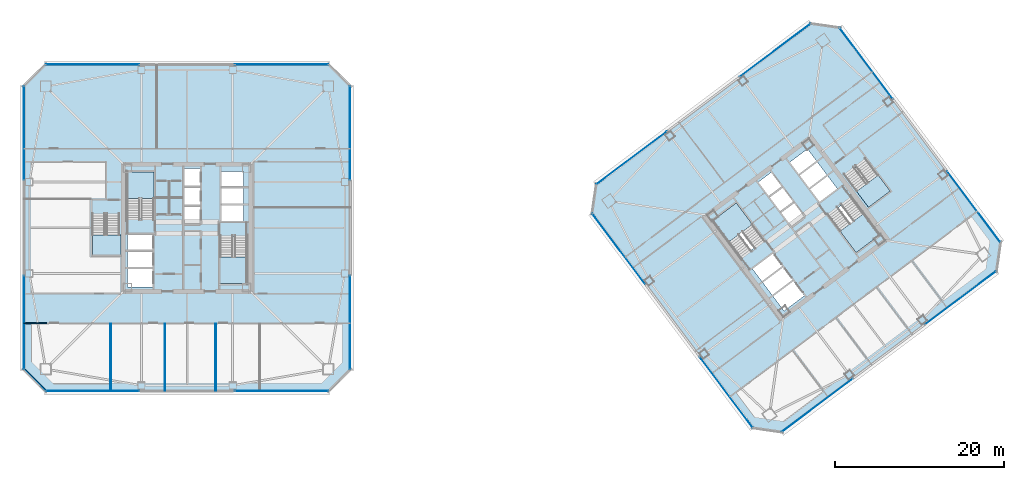
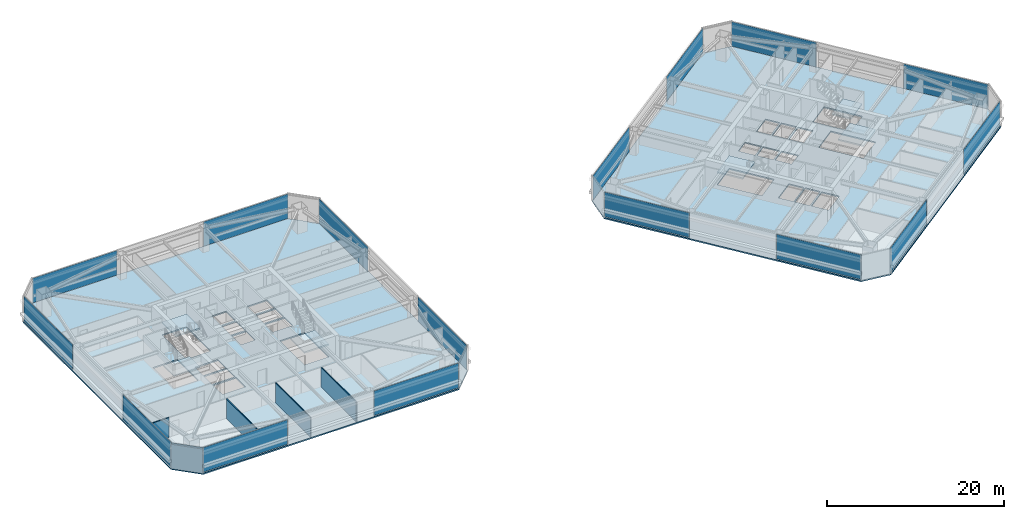
# One storey, part 30 of 41: 16 plates, 8 slabs, 5 walls, 22 elements without a shape of their own.
"""IFC4 building model written with IfcOpenShell, lengths in metres."""

from ifc_helpers import new_model, si_unit, direction, frame, frame_2d, origin, origin_2d, place, context, subcontext, project, spatial, polyline, rectangle, outline, extrude, material, layer, layer_set, type_object, element, aggregate, save


model = new_model("IFC4")

# Units and contexts
model_context = context("Model", 3, precision=1e-05, world=origin(), true_north=direction((0.0, 1.0)))
body_context = subcontext(model_context, "Body", "Model", "MODEL_VIEW")
ifc_project = project(units=[si_unit("LENGTHUNIT", "METRE"), si_unit("AREAUNIT", "SQUARE_METRE"), si_unit("VOLUMEUNIT", "CUBIC_METRE"), si_unit("PLANEANGLEUNIT", "RADIAN"), si_unit("MASSUNIT", "GRAM", prefix="KILO")], contexts=[model_context])

# Site, building, storey
site_placement = place(None, origin())
site = spatial("IfcSite", under=ifc_project, at=site_placement, CompositionType="ELEMENT")
building_placement = place(site_placement, origin())
building = spatial("IfcBuilding", under=site, at=building_placement, Name="Tashvorn Skyway Center", CompositionType="ELEMENT")
storey_placement = place(building_placement, frame((0.0, 0.0, 117.949951171875)))
storey = spatial("IfcBuildingStorey", under=building, at=storey_placement, Name="L31", CompositionType="ELEMENT", Elevation=117.949951171875)

# Curtain wall, plate
ifc_material_1 = material(Name="Thermally broken bronze-anodized aluminium 6063-T6", Category="aluminium")
curtain_wall_type = type_object("IfcCurtainWallType", Name="CW-CW-Z3", PredefinedType="NOTDEFINED", material=ifc_material_1)
curtain_wall_1_placement = place(storey_placement, origin())
curtain_wall_1 = element("IfcCurtainWall", 1, at=curtain_wall_1_placement, inside=storey, type_object=curtain_wall_type, Name="Tower 1 L31 South Unitised Curtain Wall Glazing Group 1", PredefinedType="NOTDEFINED")
ifc_material_2 = material(Name="Low-E solar-control double insulating safety glass", Category="glass")
ifc_layer_1 = layer(ifc_material_2, 0.0400390625)
ifc_layer_set_1 = layer_set([ifc_layer_1], Name="Low-E solar-control double insulating safety glass")
plate_type = type_object("IfcPlateType", Name="CWP-CW-Z3", PredefinedType="CURTAIN_PANEL", material=ifc_layer_set_1)
plate_1_placement = place(storey_placement, frame((53.186767578125, 12.719970703125, 0.0751953125), z_axis=(0.0, 0.0, 1.0), x_axis=(-1.0, 0.0, 0.0)))
plate_1 = element("IfcPlate", 2, at=plate_1_placement, type_object=plate_type, Name="CW-Z3 panel 1.1", PredefinedType="CURTAIN_PANEL", context=body_context, shape_type="SweptSolid", body=[
    extrude(rectangle(XDim=11.03662109375, YDim=0.0400390625, at=origin_2d()), origin(), (0.0, 0.0, 1.0), 3.39990234375),
])
aggregate(curtain_wall_1, [plate_1])

curtain_wall_2_placement = place(storey_placement, origin())
curtain_wall_2 = element("IfcCurtainWall", 3, at=curtain_wall_2_placement, inside=storey, type_object=curtain_wall_type, Name="Tower 1 L31 South Unitised Curtain Wall Glazing Group 2", PredefinedType="NOTDEFINED")
plate_2_placement = place(storey_placement, frame((30.813232421875, 12.719970703125, 0.0751953125), z_axis=(0.0, 0.0, 1.0), x_axis=(-1.0, 0.0, 0.0)))
plate_2 = element("IfcPlate", 4, at=plate_2_placement, type_object=plate_type, Name="CW-Z3 panel 1.1", PredefinedType="CURTAIN_PANEL", context=body_context, shape_type="SweptSolid", body=[
    extrude(rectangle(XDim=11.03662109375, YDim=0.0400390625, at=origin_2d()), origin(), (0.0, 0.0, 1.0), 3.39990234375),
])
aggregate(curtain_wall_2, [plate_2])

curtain_wall_3_placement = place(storey_placement, origin())
curtain_wall_3 = element("IfcCurtainWall", 5, at=curtain_wall_3_placement, inside=storey, type_object=curtain_wall_type, Name="Tower 1 L31 West Unitised Curtain Wall Glazing Group 1", PredefinedType="NOTDEFINED")
plate_3_placement = place(storey_placement, frame((22.719970703125, 20.813232421875, 0.0751953125), z_axis=(0.0, 0.0, 1.0), x_axis=(0.0, 1.0, 0.0)))
plate_3 = element("IfcPlate", 6, at=plate_3_placement, type_object=plate_type, Name="CW-Z3 panel 1.1", PredefinedType="CURTAIN_PANEL", context=body_context, shape_type="SweptSolid", body=[
    extrude(rectangle(XDim=11.03662109375, YDim=0.0400390625, at=origin_2d()), origin(), (0.0, 0.0, 1.0), 3.39990234375),
])
aggregate(curtain_wall_3, [plate_3])

curtain_wall_4_placement = place(storey_placement, origin())
curtain_wall_4 = element("IfcCurtainWall", 7, at=curtain_wall_4_placement, inside=storey, type_object=curtain_wall_type, Name="Tower 1 L31 West Unitised Curtain Wall Glazing Group 2", PredefinedType="NOTDEFINED")
plate_4_placement = place(storey_placement, frame((22.719970703125, 43.186767578125, 0.0751953125), z_axis=(0.0, 0.0, 1.0), x_axis=(0.0, 1.0, 0.0)))
plate_4 = element("IfcPlate", 8, at=plate_4_placement, type_object=plate_type, Name="CW-Z3 panel 1.1", PredefinedType="CURTAIN_PANEL", context=body_context, shape_type="SweptSolid", body=[
    extrude(rectangle(XDim=11.03662109375, YDim=0.0400390625, at=origin_2d()), origin(), (0.0, 0.0, 1.0), 3.39990234375),
])
aggregate(curtain_wall_4, [plate_4])

curtain_wall_5_placement = place(storey_placement, origin())
curtain_wall_5 = element("IfcCurtainWall", 9, at=curtain_wall_5_placement, inside=storey, type_object=curtain_wall_type, Name="Tower 1 L31 North Unitised Curtain Wall Glazing Group 1", PredefinedType="NOTDEFINED")
plate_5_placement = place(storey_placement, frame((30.813232421875, 51.280029296875, 0.0751953125), z_axis=(0.0, 0.0, 1.0), x_axis=(1.0, 0.0, 0.0)))
plate_5 = element("IfcPlate", 10, at=plate_5_placement, type_object=plate_type, Name="CW-Z3 panel 1.1", PredefinedType="CURTAIN_PANEL", context=body_context, shape_type="SweptSolid", body=[
    extrude(rectangle(XDim=11.03662109375, YDim=0.0400390625, at=origin_2d()), origin(), (0.0, 0.0, 1.0), 3.39990234375),
])
aggregate(curtain_wall_5, [plate_5])

curtain_wall_6_placement = place(storey_placement, origin())
curtain_wall_6 = element("IfcCurtainWall", 11, at=curtain_wall_6_placement, inside=storey, type_object=curtain_wall_type, Name="Tower 1 L31 North Unitised Curtain Wall Glazing Group 2", PredefinedType="NOTDEFINED")
plate_6_placement = place(storey_placement, frame((53.186767578125, 51.280029296875, 0.0751953125), z_axis=(0.0, 0.0, 1.0), x_axis=(1.0, 0.0, 0.0)))
plate_6 = element("IfcPlate", 12, at=plate_6_placement, type_object=plate_type, Name="CW-Z3 panel 1.1", PredefinedType="CURTAIN_PANEL", context=body_context, shape_type="SweptSolid", body=[
    extrude(rectangle(XDim=11.03662109375, YDim=0.0400390625, at=origin_2d()), origin(), (0.0, 0.0, 1.0), 3.39990234375),
])
aggregate(curtain_wall_6, [plate_6])

curtain_wall_7_placement = place(storey_placement, origin())
curtain_wall_7 = element("IfcCurtainWall", 13, at=curtain_wall_7_placement, inside=storey, type_object=curtain_wall_type, Name="Tower 1 L31 East Unitised Curtain Wall Glazing Group 1", PredefinedType="NOTDEFINED")
plate_7_placement = place(storey_placement, frame((61.280029296875, 43.186767578125, 0.0751953125), z_axis=(0.0, 0.0, 1.0), x_axis=(0.0, -1.0, 0.0)))
plate_7 = element("IfcPlate", 14, at=plate_7_placement, type_object=plate_type, Name="CW-Z3 panel 1.1", PredefinedType="CURTAIN_PANEL", context=body_context, shape_type="SweptSolid", body=[
    extrude(rectangle(XDim=11.03662109375, YDim=0.0400390625, at=origin_2d()), origin(), (0.0, 0.0, 1.0), 3.39990234375),
])
aggregate(curtain_wall_7, [plate_7])

curtain_wall_8_placement = place(storey_placement, origin())
curtain_wall_8 = element("IfcCurtainWall", 15, at=curtain_wall_8_placement, inside=storey, type_object=curtain_wall_type, Name="Tower 1 L31 East Unitised Curtain Wall Glazing Group 2", PredefinedType="NOTDEFINED")
plate_8_placement = place(storey_placement, frame((61.280029296875, 20.813232421875, 0.0751953125), z_axis=(0.0, 0.0, 1.0), x_axis=(0.0, -1.0, 0.0)))
plate_8 = element("IfcPlate", 16, at=plate_8_placement, type_object=plate_type, Name="CW-Z3 panel 1.1", PredefinedType="CURTAIN_PANEL", context=body_context, shape_type="SweptSolid", body=[
    extrude(rectangle(XDim=11.03662109375, YDim=0.0400390625, at=origin_2d()), origin(), (0.0, 0.0, 1.0), 3.39990234375),
])
aggregate(curtain_wall_8, [plate_8])

curtain_wall_9_placement = place(storey_placement, origin())
curtain_wall_9 = element("IfcCurtainWall", 17, at=curtain_wall_9_placement, inside=storey, type_object=curtain_wall_type, Name="Tower 2 L31 South Unitised Curtain Wall Glazing Group 1", PredefinedType="NOTDEFINED")
plate_9_placement = place(storey_placement, frame((133.437255859375, 23.72802734375, 0.0751953125), z_axis=(0.0, 0.0, 1.0), x_axis=(-0.799998866489, -0.600001511345, 0.0)))
plate_9 = element("IfcPlate", 18, at=plate_9_placement, type_object=plate_type, Name="CW-Z3 panel 1.1", PredefinedType="CURTAIN_PANEL", context=body_context, shape_type="SweptSolid", body=[
    extrude(rectangle(XDim=10.4365234375, YDim=0.0400390625, at=origin_2d()), origin(), (0.0, 0.0, 1.0), 3.39990234375),
])
aggregate(curtain_wall_9, [plate_9])

curtain_wall_10_placement = place(storey_placement, origin())
curtain_wall_10 = element("IfcCurtainWall", 19, at=curtain_wall_10_placement, inside=storey, type_object=curtain_wall_type, Name="Tower 2 L31 South Unitised Curtain Wall Glazing Group 2", PredefinedType="NOTDEFINED")
plate_10_placement = place(storey_placement, frame((116.49853515625, 11.02392578125, 0.0751953125), z_axis=(0.0, 0.0, 1.0), x_axis=(-0.799998866489, -0.600001511345, 0.0)))
plate_10 = element("IfcPlate", 20, at=plate_10_placement, type_object=plate_type, Name="CW-Z3 panel 1.1", PredefinedType="CURTAIN_PANEL", context=body_context, shape_type="SweptSolid", body=[
    extrude(rectangle(XDim=10.4365234375, YDim=0.0400390625, at=origin_2d()), origin(), (0.0, 0.0, 1.0), 3.39990234375),
])
aggregate(curtain_wall_10, [plate_10])

curtain_wall_11_placement = place(storey_placement, origin())
curtain_wall_11 = element("IfcCurtainWall", 21, at=curtain_wall_11_placement, inside=storey, type_object=curtain_wall_type, Name="Tower 2 L31 West Unitised Curtain Wall Glazing Group 1", PredefinedType="NOTDEFINED")
plate_11_placement = place(storey_placement, frame((105.72802734375, 12.562744140625, 0.0751953125), z_axis=(0.0, 0.0, 1.0), x_axis=(-0.600001511345, 0.799998866489, 0.0)))
plate_11 = element("IfcPlate", 22, at=plate_11_placement, type_object=plate_type, Name="CW-Z3 panel 1.1", PredefinedType="CURTAIN_PANEL", context=body_context, shape_type="SweptSolid", body=[
    extrude(rectangle(XDim=10.4365234375, YDim=0.0400390625, at=origin_2d()), origin(), (0.0, 0.0, 1.0), 3.39990234375),
])
aggregate(curtain_wall_11, [plate_11])

curtain_wall_12_placement = place(storey_placement, origin())
curtain_wall_12 = element("IfcCurtainWall", 23, at=curtain_wall_12_placement, inside=storey, type_object=curtain_wall_type, Name="Tower 2 L31 West Unitised Curtain Wall Glazing Group 2", PredefinedType="NOTDEFINED")
plate_12_placement = place(storey_placement, frame((93.02392578125, 29.50146484375, 0.0751953125), z_axis=(0.0, 0.0, 1.0), x_axis=(-0.600001511345, 0.799998866489, 0.0)))
plate_12 = element("IfcPlate", 24, at=plate_12_placement, type_object=plate_type, Name="CW-Z3 panel 1.1", PredefinedType="CURTAIN_PANEL", context=body_context, shape_type="SweptSolid", body=[
    extrude(rectangle(XDim=10.4365234375, YDim=0.0400390625, at=origin_2d()), origin(), (0.0, 0.0, 1.0), 3.39990234375),
])
aggregate(curtain_wall_12, [plate_12])

curtain_wall_13_placement = place(storey_placement, origin())
curtain_wall_13 = element("IfcCurtainWall", 25, at=curtain_wall_13_placement, inside=storey, type_object=curtain_wall_type, Name="Tower 2 L31 North Unitised Curtain Wall Glazing Group 1", PredefinedType="NOTDEFINED")
plate_13_placement = place(storey_placement, frame((94.562744140625, 40.27197265625, 0.0751953125), z_axis=(0.0, 0.0, 1.0), x_axis=(0.799998866489, 0.600001511345, 0.0)))
plate_13 = element("IfcPlate", 26, at=plate_13_placement, type_object=plate_type, Name="CW-Z3 panel 1.1", PredefinedType="CURTAIN_PANEL", context=body_context, shape_type="SweptSolid", body=[
    extrude(rectangle(XDim=10.4365234375, YDim=0.0400390625, at=origin_2d()), origin(), (0.0, 0.0, 1.0), 3.39990234375),
])
aggregate(curtain_wall_13, [plate_13])

curtain_wall_14_placement = place(storey_placement, origin())
curtain_wall_14 = element("IfcCurtainWall", 27, at=curtain_wall_14_placement, inside=storey, type_object=curtain_wall_type, Name="Tower 2 L31 North Unitised Curtain Wall Glazing Group 2", PredefinedType="NOTDEFINED")
plate_14_placement = place(storey_placement, frame((111.50146484375, 52.97607421875, 0.0751953125), z_axis=(0.0, 0.0, 1.0), x_axis=(0.799998866489, 0.600001511345, 0.0)))
plate_14 = element("IfcPlate", 28, at=plate_14_placement, type_object=plate_type, Name="CW-Z3 panel 1.1", PredefinedType="CURTAIN_PANEL", context=body_context, shape_type="SweptSolid", body=[
    extrude(rectangle(XDim=10.4365234375, YDim=0.0400390625, at=origin_2d()), origin(), (0.0, 0.0, 1.0), 3.39990234375),
])
aggregate(curtain_wall_14, [plate_14])

curtain_wall_15_placement = place(storey_placement, origin())
curtain_wall_15 = element("IfcCurtainWall", 29, at=curtain_wall_15_placement, inside=storey, type_object=curtain_wall_type, Name="Tower 2 L31 East Unitised Curtain Wall Glazing Group 1", PredefinedType="NOTDEFINED")
plate_15_placement = place(storey_placement, frame((122.27197265625, 51.437255859375, 0.0751953125), z_axis=(0.0, 0.0, 1.0), x_axis=(0.600001511345, -0.799998866489, 0.0)))
plate_15 = element("IfcPlate", 30, at=plate_15_placement, type_object=plate_type, Name="CW-Z3 panel 1.1", PredefinedType="CURTAIN_PANEL", context=body_context, shape_type="SweptSolid", body=[
    extrude(rectangle(XDim=10.4365234375, YDim=0.0400390625, at=origin_2d()), origin(), (0.0, 0.0, 1.0), 3.39990234375),
])
aggregate(curtain_wall_15, [plate_15])

curtain_wall_16_placement = place(storey_placement, origin())
curtain_wall_16 = element("IfcCurtainWall", 31, at=curtain_wall_16_placement, inside=storey, type_object=curtain_wall_type, Name="Tower 2 L31 East Unitised Curtain Wall Glazing Group 2", PredefinedType="NOTDEFINED")
plate_16_placement = place(storey_placement, frame((134.97607421875, 34.49853515625, 0.0751953125), z_axis=(0.0, 0.0, 1.0), x_axis=(0.600001511345, -0.799998866489, 0.0)))
plate_16 = element("IfcPlate", 32, at=plate_16_placement, type_object=plate_type, Name="CW-Z3 panel 1.1", PredefinedType="CURTAIN_PANEL", context=body_context, shape_type="SweptSolid", body=[
    extrude(rectangle(XDim=10.4365234375, YDim=0.0400390625, at=origin_2d()), origin(), (0.0, 0.0, 1.0), 3.39990234375),
])
aggregate(curtain_wall_16, [plate_16])

# Slabs
ifc_material_3 = material(Name="Concrete C40/50", Category="concrete")
ifc_layer_2 = layer(ifc_material_3, 0.179931640625)
ifc_layer_set_2 = layer_set([ifc_layer_2], Name="Concrete C40/50")
slab_type_1 = type_object("IfcSlabType", Name="SLAB-FLR-180", PredefinedType="FLOOR", material=ifc_layer_set_2)
slab_1_placement = place(storey_placement, frame((0.0, 0.0, -0.179931640625)))
element("IfcSlab", 33, at=slab_1_placement, inside=storey, type_object=slab_type_1, Name="Tower 1 L31 Composite Floor Slab", PredefinedType="FLOOR", context=body_context, shape_type="SweptSolid", body=[
    extrude(outline(polyline([(25.300048828125, 12.60009765625), (58.699951171875, 12.60009765625), (61.39990234375, 15.300048828125), (61.39990234375, 48.699951171875), (58.699951171875, 51.39990234375), (25.300048828125, 51.39990234375), (22.60009765625, 48.699951171875), (22.60009765625, 15.300048828125), (25.300048828125, 12.60009765625)]), holes=[polyline([(38.10009765625, 33.080078125), (38.10009765625, 38.60009765625), (34.89990234375, 38.60009765625), (34.89990234375, 33.080078125), (38.10009765625, 33.080078125)]), polyline([(45.89990234375, 30.919921875), (45.89990234375, 25.39990234375), (49.10009765625, 25.39990234375), (49.10009765625, 30.919921875), (45.89990234375, 30.919921875)]), polyline([(30.800048828125, 33.52001953125), (30.800048828125, 28.800048828125), (34.0, 28.800048828125), (34.0, 33.52001953125), (30.800048828125, 33.52001953125)]), polyline([(34.949951171875, 29.35009765625), (37.949951171875, 29.35009765625), (37.949951171875, 31.199951171875), (34.949951171875, 31.199951171875), (34.949951171875, 29.35009765625)]), polyline([(34.949951171875, 27.35009765625), (37.949951171875, 27.35009765625), (37.949951171875, 29.199951171875), (34.949951171875, 29.199951171875), (34.949951171875, 27.35009765625)]), polyline([(34.949951171875, 25.0), (37.949951171875, 25.0), (37.949951171875, 27.14990234375), (34.949951171875, 27.14990234375), (34.949951171875, 25.0)]), polyline([(41.64990234375, 32.449951171875), (43.550048828125, 32.449951171875), (43.550048828125, 34.5), (41.64990234375, 34.5), (41.64990234375, 32.449951171875)]), polyline([(41.64990234375, 34.699951171875), (43.550048828125, 34.699951171875), (43.550048828125, 36.75), (41.64990234375, 36.75), (41.64990234375, 34.699951171875)]), polyline([(41.64990234375, 36.949951171875), (43.550048828125, 36.949951171875), (43.550048828125, 39.0), (41.64990234375, 39.0), (41.64990234375, 36.949951171875)]), polyline([(46.050048828125, 32.800048828125), (48.64990234375, 32.800048828125), (48.64990234375, 34.64990234375), (46.050048828125, 34.64990234375), (46.050048828125, 32.800048828125)]), polyline([(46.050048828125, 34.85009765625), (48.64990234375, 34.85009765625), (48.64990234375, 36.699951171875), (46.050048828125, 36.699951171875), (46.050048828125, 34.85009765625)]), polyline([(46.050048828125, 36.89990234375), (48.64990234375, 36.89990234375), (48.64990234375, 38.64990234375), (46.050048828125, 38.64990234375), (46.050048828125, 36.89990234375)])]), origin(), (0.0, 0.0, 1.0), 0.179931640625),
])
slab_2_placement = place(storey_placement, frame((0.0, 0.0, -0.179931640625)))
element("IfcSlab", 34, at=slab_2_placement, inside=storey, type_object=slab_type_1, Name="Tower 2 L31 Composite Floor Slab", PredefinedType="FLOOR", context=body_context, shape_type="SweptSolid", body=[
    extrude(outline(polyline([(112.39990234375, 7.800048828125), (137.679931640625, 26.760009765625), (138.199951171875, 30.39990234375), (119.239990234375, 55.679931640625), (115.60009765625, 56.199951171875), (90.320068359375, 37.239990234375), (89.800048828125, 33.60009765625), (108.760009765625, 8.320068359375), (112.39990234375, 7.800048828125)]), holes=[polyline([(110.23193359375, 30.52392578125), (106.919921875, 34.93994140625), (104.135986328125, 32.85205078125), (107.447998046875, 28.43603515625), (110.23193359375, 30.52392578125)]), polyline([(117.76806640625, 33.47607421875), (121.080078125, 29.06005859375), (123.864013671875, 31.14794921875), (120.552001953125, 35.56396484375), (117.76806640625, 33.47607421875)]), polyline([(119.7119140625, 38.18408203125), (122.5439453125, 34.407958984375), (125.10400390625, 36.327880859375), (122.27197265625, 40.10400390625), (119.7119140625, 38.18408203125)]), polyline([(109.949951171875, 25.64990234375), (112.35009765625, 27.449951171875), (111.239990234375, 28.929931640625), (108.840087890625, 27.1298828125), (109.949951171875, 25.64990234375)]), polyline([(111.14990234375, 24.050048828125), (113.550048828125, 25.85009765625), (112.43994140625, 27.330078125), (110.0400390625, 25.530029296875), (111.14990234375, 24.050048828125)]), polyline([(112.56005859375, 22.169921875), (114.9599609375, 23.969970703125), (113.669921875, 25.68994140625), (111.27001953125, 23.889892578125), (112.56005859375, 22.169921875)]), polyline([(113.449951171875, 32.14990234375), (114.969970703125, 33.2900390625), (113.739990234375, 34.929931640625), (112.219970703125, 33.7900390625), (113.449951171875, 32.14990234375)]), polyline([(112.10009765625, 33.949951171875), (113.6201171875, 35.090087890625), (112.389892578125, 36.72998046875), (110.8701171875, 35.590087890625), (112.10009765625, 33.949951171875)]), polyline([(110.75, 35.75), (112.27001953125, 36.889892578125), (111.0400390625, 38.530029296875), (109.52001953125, 37.389892578125), (110.75, 35.75)]), polyline([(116.760009765625, 35.070068359375), (118.840087890625, 36.6298828125), (117.72998046875, 38.110107421875), (115.64990234375, 36.550048828125), (116.760009765625, 35.070068359375)]), polyline([(115.530029296875, 36.7099609375), (117.610107421875, 38.27001953125), (116.5, 39.75), (114.419921875, 38.18994140625), (115.530029296875, 36.7099609375)]), polyline([(114.300048828125, 38.35009765625), (116.3798828125, 39.909912109375), (115.330078125, 41.31005859375), (113.25, 39.75), (114.300048828125, 38.35009765625)])]), origin(), (0.0, 0.0, 1.0), 0.179931640625),
])

# Stair, slab
stair_type = type_object("IfcStairType", Name="STAIR-CORE-1500", PredefinedType="HALF_TURN_STAIR", material=ifc_material_3)
stair_1_placement = place(storey_placement, origin())
stair_1 = element("IfcStair", 35, at=stair_1_placement, inside=storey, type_object=stair_type, Name="L31 Tower 1 Exit Stair 1", PredefinedType="HALF_TURN_STAIR")
ifc_layer_3 = layer(ifc_material_3, 0.199951171875)
ifc_layer_set_3 = layer_set([ifc_layer_3], Name="Concrete C40/50")
slab_type_2 = type_object("IfcSlabType", Name="SLAB-LAND-200", PredefinedType="LANDING", material=ifc_layer_set_3)
slab_3_placement = place(storey_placement, frame((0.0, 0.0, 1.574951171875)))
slab_3 = element("IfcSlab", 36, at=slab_3_placement, type_object=slab_type_2, Name="ST-T1-1 landing 1", PredefinedType="LANDING", context=body_context, shape_type="SweptSolid", body=[
    extrude(outline(polyline([(38.10009765625, 35.43994140625), (38.10009765625, 38.60009765625), (34.89990234375, 38.60009765625), (34.89990234375, 35.43994140625), (38.10009765625, 35.43994140625)])), origin(), (0.0, 0.0, 1.0), 0.2001953125),
])
aggregate(stair_1, [slab_3])

stair_2_placement = place(storey_placement, origin())
stair_2 = element("IfcStair", 37, at=stair_2_placement, inside=storey, type_object=stair_type, Name="L31 Tower 1 Exit Stair 2", PredefinedType="HALF_TURN_STAIR")
slab_4_placement = place(storey_placement, frame((0.0, 0.0, 1.574951171875)))
slab_4 = element("IfcSlab", 38, at=slab_4_placement, type_object=slab_type_2, Name="ST-T1-2 landing 1", PredefinedType="LANDING", context=body_context, shape_type="SweptSolid", body=[
    extrude(outline(polyline([(45.89990234375, 28.56005859375), (45.89990234375, 25.39990234375), (49.10009765625, 25.39990234375), (49.10009765625, 28.56005859375), (45.89990234375, 28.56005859375)])), origin(), (0.0, 0.0, 1.0), 0.2001953125),
])
aggregate(stair_2, [slab_4])

stair_3_placement = place(storey_placement, origin())
stair_3 = element("IfcStair", 39, at=stair_3_placement, inside=storey, type_object=stair_type, Name="L31 Tower 2 Exit Stair 1", PredefinedType="HALF_TURN_STAIR")
slab_5_placement = place(storey_placement, frame((0.0, 0.0, 1.574951171875)))
slab_5 = element("IfcSlab", 40, at=slab_5_placement, type_object=slab_type_2, Name="ST-T2-1 landing 1", PredefinedType="LANDING", context=body_context, shape_type="SweptSolid", body=[
    extrude(outline(polyline([(108.82080078125, 32.405517578125), (106.919921875, 34.93994140625), (104.135986328125, 32.85205078125), (106.036865234375, 30.317626953125), (108.82080078125, 32.405517578125)])), origin(), (0.0, 0.0, 1.0), 0.2001953125),
])
aggregate(stair_3, [slab_5])

stair_4_placement = place(storey_placement, origin())
stair_4 = element("IfcStair", 41, at=stair_4_placement, inside=storey, type_object=stair_type, Name="L31 Tower 2 Exit Stair 2", PredefinedType="HALF_TURN_STAIR")
slab_6_placement = place(storey_placement, frame((0.0, 0.0, 1.574951171875)))
slab_6 = element("IfcSlab", 42, at=slab_6_placement, type_object=slab_type_2, Name="ST-T2-2 landing 1", PredefinedType="LANDING", context=body_context, shape_type="SweptSolid", body=[
    extrude(outline(polyline([(119.17919921875, 31.594482421875), (121.080078125, 29.06005859375), (123.864013671875, 31.14794921875), (121.963134765625, 33.682373046875), (119.17919921875, 31.594482421875)])), origin(), (0.0, 0.0, 1.0), 0.2001953125),
])
aggregate(stair_4, [slab_6])

stair_5_placement = place(storey_placement, origin())
stair_5 = element("IfcStair", 43, at=stair_5_placement, inside=storey, type_object=stair_type, Name="L31 Tower 1 Exit Stair 3", PredefinedType="HALF_TURN_STAIR")
slab_7_placement = place(storey_placement, frame((0.0, 0.0, 1.574951171875)))
slab_7 = element("IfcSlab", 44, at=slab_7_placement, type_object=slab_type_2, Name="ST-T1-3 landing 1", PredefinedType="LANDING", context=body_context, shape_type="SweptSolid", body=[
    extrude(outline(polyline([(30.800048828125, 31.159912109375), (30.800048828125, 28.800048828125), (34.199951171875, 28.800048828125), (34.199951171875, 31.159912109375), (30.800048828125, 31.159912109375)])), origin(), (0.0, 0.0, 1.0), 0.2001953125),
])
aggregate(stair_5, [slab_7])

stair_6_placement = place(storey_placement, origin())
stair_6 = element("IfcStair", 45, at=stair_6_placement, inside=storey, type_object=stair_type, Name="L31 Tower 2 Exit Stair 3", PredefinedType="HALF_TURN_STAIR")
slab_8_placement = place(storey_placement, frame((0.0, 0.0, 1.574951171875)))
slab_8 = element("IfcSlab", 46, at=slab_8_placement, type_object=slab_type_2, Name="ST-T2-3 landing 1", PredefinedType="LANDING", context=body_context, shape_type="SweptSolid", body=[
    extrude(outline(polyline([(121.123291015625, 36.302490234375), (122.5439453125, 34.407958984375), (125.10400390625, 36.327880859375), (123.68310546875, 38.222412109375), (121.123291015625, 36.302490234375)])), origin(), (0.0, 0.0, 1.0), 0.2001953125),
])
aggregate(stair_6, [slab_8])

# Walls
ifc_material_4 = material(Name="Precast concrete C40/50", Category="concrete")
ifc_layer_4 = layer(ifc_material_4, 0.280029296875)
ifc_layer_set_4 = layer_set([ifc_layer_4], Name="Precast concrete C40/50")
wall_type_1 = type_object("IfcWallType", Name="WALL-EXT-280", PredefinedType="SOLIDWALL", material=ifc_layer_set_4)
wall_1_placement = place(storey_placement, frame((25.300048828125, 12.699951171875, 0.0), z_axis=(0.0, 0.0, 1.0), x_axis=(-0.707106781187, 0.707106781187, 0.0)))
element("IfcWall", 47, at=wall_1_placement, inside=storey, type_object=wall_type_1, Name="Tower 1 L31 SW Precast Chamfer Wall", PredefinedType="SOLIDWALL", context=body_context, shape_type="SweptSolid", body=[
    extrude(rectangle(XDim=3.677001953125, YDim=0.280029296875, at=frame_2d((1.83837890625, 0.0))), origin(), (0.0, 0.0, 1.0), 3.3701171875),
])
ifc_material_5 = material(Name="Gypsum board on cold-formed steel stud framing", Category="steel")
ifc_layer_5 = layer(ifc_material_5, 0.110107421875)
ifc_layer_set_5 = layer_set([ifc_layer_5], Name="Gypsum board on cold-formed steel stud framing")
wall_type_2 = type_object("IfcWallType", Name="WALL-PART-110", PredefinedType="PARTITIONING", material=ifc_layer_set_5)
for number, where, z_axis, x_axis, name in (
    (48, (33.0, 12.719970703125, 0.0), (0.0, 0.0, 1.0), (0.0, 1.0, 0.0), "Tower 1 L31 South Suite Partition 1"),
    (49, (39.39990234375, 12.719970703125, 0.0), (0.0, 0.0, 1.0), (0.0, 1.0, 0.0), "Tower 1 L31 South Suite Partition 2"),
    (50, (45.39990234375, 12.719970703125, 0.0), (0.0, 0.0, 1.0), (0.0, 1.0, 0.0), "Tower 1 L31 South Suite Partition 3"),
):
    element("IfcWall", number, at=place(storey_placement, frame(where, z_axis=z_axis, x_axis=x_axis)), inside=storey, type_object=wall_type_2, Name=name, PredefinedType="PARTITIONING", context=body_context, shape_type="SweptSolid", body=[
        extrude(rectangle(XDim=7.929931640625, YDim=0.110107421875, at=frame_2d((3.96484375, 0.0))), origin(), (0.0, 0.0, 1.0), 2.72314453125),
    ])
ifc_layer_6 = layer(ifc_material_5, 0.135009765625)
ifc_layer_set_6 = layer_set([ifc_layer_6], Name="Gypsum board on cold-formed steel stud framing")
wall_type_3 = type_object("IfcWallType", Name="WALL-PART-135", PredefinedType="PARTITIONING", material=ifc_layer_set_6)
wall_2_placement = place(storey_placement, frame((22.719970703125, 20.72998046875, 0.0), z_axis=(0.0, 0.0, 1.0), x_axis=(1.0, 0.0, 0.0)))
element("IfcWall", 51, at=wall_2_placement, inside=storey, type_object=wall_type_3, Name="Tower 1 L31 South-West Suite North Wall", PredefinedType="PARTITIONING", context=body_context, shape_type="SweptSolid", body=[
    extrude(rectangle(XDim=2.72998046875, YDim=0.135009765625, at=frame_2d((1.364990234375, 0.0))), origin(), (0.0, 0.0, 1.0), 2.72314453125),
])

save(model, "model.ifc")
